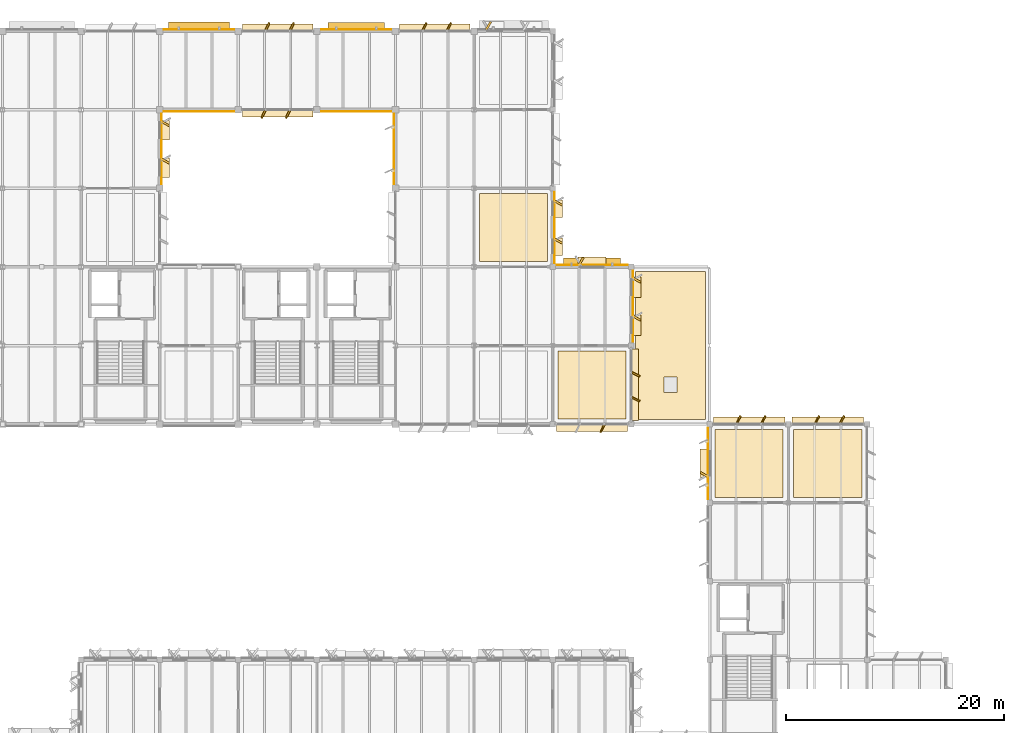
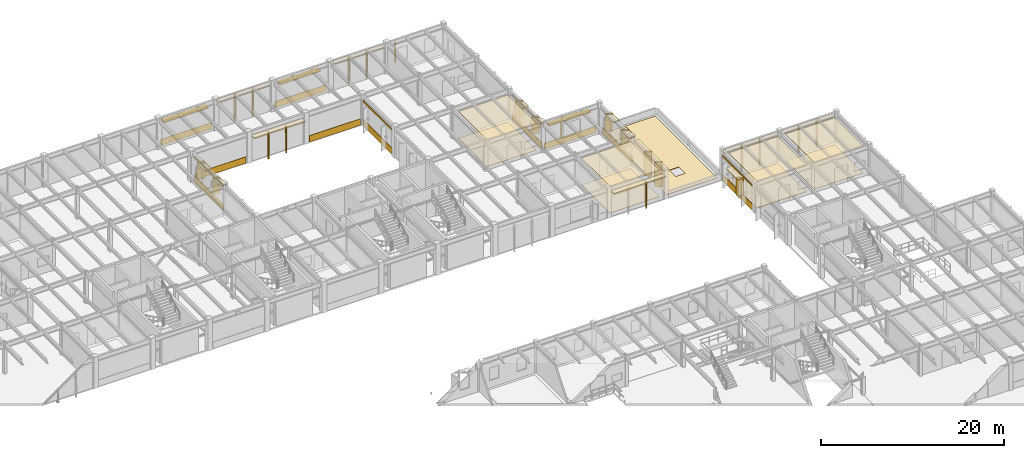
# One storey, part 84 of 85: 60 coverings, 3 shading devices.
"""IFC4 building model written with IfcOpenShell, lengths in metres."""

from ifc_helpers import new_model, si_unit, direction, frame, frame_2d, origin, origin_2d, place, context, subcontext, project, spatial, polyline, rectangle, outline, extrude, material, layer, layer_set, type_object, element, save


model = new_model("IFC4")

# Units and contexts
model_context = context("Model", 3, precision=1e-05, world=origin(), true_north=direction((0.0, 1.0)))
body_context = subcontext(model_context, "Body", "Model", "MODEL_VIEW")
ifc_project = project(units=[si_unit("LENGTHUNIT", "METRE"), si_unit("AREAUNIT", "SQUARE_METRE"), si_unit("VOLUMEUNIT", "CUBIC_METRE"), si_unit("PLANEANGLEUNIT", "RADIAN"), si_unit("MASSUNIT", "GRAM", prefix="KILO")], contexts=[model_context])

# Site, building, storey
site_placement = place(None, origin())
site = spatial("IfcSite", under=ifc_project, at=site_placement, CompositionType="ELEMENT")
building_placement = place(site_placement, origin())
building = spatial("IfcBuilding", under=site, at=building_placement, Name="Sillqori Civic Hall", CompositionType="ELEMENT")
storey_placement = place(building_placement, frame((0.0, 0.0, 9.89990234375)))
storey = spatial("IfcBuildingStorey", under=building, at=storey_placement, Name="L03", CompositionType="ELEMENT", Elevation=9.89990234375)

# Coverings
ifc_material_1 = material(Name="Acoustic Gypsum Board Assembly 34", Category="gypsum")
ifc_layer_1 = layer(ifc_material_1, 0.033935546875)
ifc_layer_set_1 = layer_set([ifc_layer_1], Name="Acoustic Gypsum Board Assembly 34")
covering_type_1 = type_object("IfcCoveringType", Name="COV-CEIL-G34", PredefinedType="CEILING", material=ifc_layer_set_1)
covering_1_placement = place(storey_placement, frame((0.0, 0.0, 3.587158203125)))
element("IfcCovering", 1, at=covering_1_placement, inside=storey, type_object=covering_type_1, Name="Urban Planning Masterplan Studio L03-09 acoustic ceiling", PredefinedType="CEILING", context=body_context, shape_type="SweptSolid", body=[
    extrude(outline(polyline([(108.47998046875, 79.679931640625), (114.719970703125, 79.679931640625), (114.719970703125, 85.919921875), (108.47998046875, 85.919921875), (108.47998046875, 79.679931640625)])), origin(), (0.0, 0.0, 1.0), 0.033935546875),
])
ifc_material_2 = material(Name="Perforated Acoustic Gypsum Board Ceiling", Category="gypsum")
ifc_layer_2 = layer(ifc_material_2, 0.030029296875)
ifc_layer_set_2 = layer_set([ifc_layer_2], Name="Perforated Acoustic Gypsum Board Ceiling")
covering_type_2 = type_object("IfcCoveringType", Name="COV-CEIL-GYP", PredefinedType="CEILING", material=ifc_layer_set_2)
covering_2_placement = place(storey_placement, frame((0.0, 0.0, 3.591064453125)))
element("IfcCovering", 2, at=covering_2_placement, inside=storey, type_object=covering_type_2, Name="Public Works Project Management Office L03-07 acoustic ceiling", PredefinedType="CEILING", context=body_context, shape_type="SweptSolid", body=[
    extrude(outline(polyline([(101.280029296875, 94.080078125), (107.52001953125, 94.080078125), (107.52001953125, 100.320068359375), (101.280029296875, 100.320068359375), (101.280029296875, 94.080078125)])), origin(), (0.0, 0.0, 1.0), 0.030029296875),
])
ifc_material_3 = material(Name="Andean Cedar Slatted Baffle 52", Category="timber")
ifc_layer_3 = layer(ifc_material_3, 0.052001953125)
ifc_layer_set_3 = layer_set([ifc_layer_3], Name="Andean Cedar Slatted Baffle 52")
covering_type_3 = type_object("IfcCoveringType", Name="COV-CEIL-T52", PredefinedType="CEILING", material=ifc_layer_set_3)
covering_3_placement = place(storey_placement, frame((0.0, 0.0, 3.569091796875)))
element("IfcCovering", 3, at=covering_3_placement, inside=storey, type_object=covering_type_3, Name="Library Open Book Stacks Historic Statutes acoustic ceiling", PredefinedType="CEILING", context=body_context, shape_type="SweptSolid", body=[
    extrude(outline(polyline([(122.8798828125, 72.47998046875), (129.1201171875, 72.47998046875), (129.1201171875, 78.719970703125), (122.8798828125, 78.719970703125), (122.8798828125, 72.47998046875)])), origin(), (0.0, 0.0, 1.0), 0.052001953125),
])
ifc_material_4 = material(Name="Andean Cedar Deep Baffle 58", Category="timber")
ifc_layer_4 = layer(ifc_material_4, 0.05810546875)
ifc_layer_set_4 = layer_set([ifc_layer_4], Name="Andean Cedar Deep Baffle 58")
covering_type_4 = type_object("IfcCoveringType", Name="COV-CEIL-T58", PredefinedType="CEILING", material=ifc_layer_set_4)
covering_4_placement = place(storey_placement, frame((0.0, 0.0, 3.56298828125)))
element("IfcCovering", 4, at=covering_4_placement, inside=storey, type_object=covering_type_4, Name="Andean Cartography and Map Reading Room acoustic ceiling", PredefinedType="CEILING", context=body_context, shape_type="SweptSolid", body=[
    extrude(outline(polyline([(130.080078125, 72.47998046875), (136.320068359375, 72.47998046875), (136.320068359375, 78.719970703125), (130.080078125, 78.719970703125), (130.080078125, 72.47998046875)])), origin(), (0.0, 0.0, 1.0), 0.05810546875),
])
ifc_material_5 = material(Name="Cochabamba Honed Limestone Cladding", Category="masonry")
ifc_layer_5 = layer(ifc_material_5, 0.044921875)
ifc_layer_set_5 = layer_set([ifc_layer_5], Name="Cochabamba Honed Limestone Cladding")
covering_type_5 = type_object("IfcCoveringType", Name="COV-CLAD-LIME", PredefinedType="CLADDING", material=ifc_layer_set_5)
covering_5_placement = place(storey_placement, frame((72.159912109375, 107.6201171875, 0.0400390625), z_axis=(0.0, 0.0, 1.0), x_axis=(0.0, -1.0, 0.0)))
element("IfcCovering", 5, at=covering_5_placement, inside=storey, type_object=covering_type_5, Name="L03 limestone spandrel cladding L03-09-14-E", PredefinedType="CLADDING", context=body_context, shape_type="SweptSolid", body=[
    extrude(rectangle(XDim=6.440185546875, YDim=0.044921875, at=frame_2d((3.22021484375, 0.0))), origin(), (0.0, 0.0, 1.0), 0.860107421875),
])
covering_6_placement = place(storey_placement, frame((72.159912109375, 107.6201171875, 3.22021484375), z_axis=(0.0, 0.0, 1.0), x_axis=(0.0, -1.0, 0.0)))
element("IfcCovering", 6, at=covering_6_placement, inside=storey, type_object=covering_type_5, Name="L03 limestone frieze cladding L03-09-14-E", PredefinedType="CLADDING", context=body_context, shape_type="SweptSolid", body=[
    extrude(rectangle(XDim=6.440185546875, YDim=0.044921875, at=frame_2d((3.22021484375, 0.0))), origin(), (0.0, 0.0, 1.0), 0.226806640625),
])
covering_7_placement = place(storey_placement, frame((72.1201171875, 106.9609375, 0.830078125), z_axis=(0.0, 0.0, 1.0), x_axis=(0.865989465428, -0.500062241894, 0.0)))
element("IfcCovering", 7, at=covering_7_placement, inside=storey, type_object=covering_type_5, Name="Sawtooth limestone angled reveal cheek L03-09-14-E.1", PredefinedType="CLADDING", context=body_context, shape_type="SweptSolid", body=[
    extrude(rectangle(XDim=0.85009765625, YDim=0.179931640625, at=frame_2d((0.425048828125, 0.0))), origin(), (0.0, 0.0, 1.0), 2.14990234375),
])
covering_8_placement = place(storey_placement, frame((72.5, 107.02099609375, 2.840087890625), z_axis=(0.0, 0.0, 1.0), x_axis=(0.0, -1.0, 0.0)))
element("IfcCovering", 8, at=covering_8_placement, inside=storey, type_object=covering_type_5, Name="Sawtooth limestone window hood L03-09-14-E.1", PredefinedType="CLADDING", context=body_context, shape_type="SweptSolid", body=[
    extrude(rectangle(XDim=1.81005859375, YDim=0.780029296875, at=frame_2d((0.905029296875, 0.0))), origin(), (0.0, 0.0, 1.0), 0.139892578125),
])
covering_9_placement = place(storey_placement, frame((72.1201171875, 103.529052734375, 0.830078125), z_axis=(0.0, 0.0, 1.0), x_axis=(0.865989465428, -0.500062241894, 0.0)))
element("IfcCovering", 9, at=covering_9_placement, inside=storey, type_object=covering_type_5, Name="Sawtooth limestone angled reveal cheek L03-09-14-E.2", PredefinedType="CLADDING", context=body_context, shape_type="SweptSolid", body=[
    extrude(rectangle(XDim=0.85009765625, YDim=0.179931640625, at=frame_2d((0.425048828125, 0.0))), origin(), (0.0, 0.0, 1.0), 2.14990234375),
])
covering_10_placement = place(storey_placement, frame((72.5, 103.589111328125, 2.840087890625), z_axis=(0.0, 0.0, 1.0), x_axis=(0.0, -1.0, 0.0)))
element("IfcCovering", 10, at=covering_10_placement, inside=storey, type_object=covering_type_5, Name="Sawtooth limestone window hood L03-09-14-E.2", PredefinedType="CLADDING", context=body_context, shape_type="SweptSolid", body=[
    extrude(rectangle(XDim=1.81005859375, YDim=0.780029296875, at=frame_2d((0.905029296875, 0.0))), origin(), (0.0, 0.0, 1.0), 0.139892578125),
])
for number, where, z_axis, x_axis, name in (
    (11, (78.820068359375, 107.840087890625, 0.0400390625), (0.0, 0.0, 1.0), (-1.0, 0.0, 0.0), "L03 limestone spandrel cladding L03-10-15-S"),
    (12, (72.3798828125, 115.360107421875, 0.0400390625), (0.0, 0.0, 1.0), (1.0, 0.0, 0.0), "L03 limestone spandrel cladding L03-10-15-N"),
):
    element("IfcCovering", number, at=place(storey_placement, frame(where, z_axis=z_axis, x_axis=x_axis)), inside=storey, type_object=covering_type_5, Name=name, PredefinedType="CLADDING", context=body_context, shape_type="SweptSolid", body=[
        extrude(rectangle(XDim=6.440185546875, YDim=0.044921875, at=frame_2d((3.22021484375, 0.0))), origin(), (0.0, 0.0, 1.0), 0.860107421875),
    ])
covering_11_placement = place(storey_placement, frame((86.02001953125, 107.679931640625, 3.238037109375), z_axis=(0.0, 0.0, 1.0), x_axis=(-1.0, 0.0, 0.0)))
element("IfcCovering", 13, at=covering_11_placement, inside=storey, type_object=covering_type_5, Name="L03 curtain-wall limestone solar hood L03-11-15-S", PredefinedType="CLADDING", context=body_context, shape_type="SweptSolid", body=[
    extrude(rectangle(XDim=6.43994140625, YDim=0.679931640625, at=frame_2d((3.219970703125, 0.0))), origin(), (0.0, 0.0, 1.0), 0.18017578125),
])
for number, where, z_axis, x_axis, name in (
    (14, (83.922119140625, 107.949951171875, 0.06005859375), (0.0, 0.0, 1.0), (-0.447334902547, -0.894366527193, 0.0), "L03 curtain-wall angled stone fin L03-11-15-S.1"),
    (15, (81.677978515625, 107.949951171875, 0.06005859375), (0.0, 0.0, 1.0), (-0.44709226377, -0.894487846579, 0.0), "L03 curtain-wall angled stone fin L03-11-15-S.2"),
):
    element("IfcCovering", number, at=place(storey_placement, frame(where, z_axis=z_axis, x_axis=x_axis)), inside=storey, type_object=covering_type_5, Name=name, PredefinedType="CLADDING", context=body_context, shape_type="SweptSolid", body=[
        extrude(rectangle(XDim=0.804931640625, YDim=0.139892578125, at=frame_2d((0.40234375, 0.0))), origin(), (0.0, 0.0, 1.0), 3.177978515625),
    ])
covering_12_placement = place(storey_placement, frame((79.580078125, 115.52001953125, 3.238037109375), z_axis=(0.0, 0.0, 1.0), x_axis=(1.0, 0.0, 0.0)))
element("IfcCovering", 16, at=covering_12_placement, inside=storey, type_object=covering_type_5, Name="L03 curtain-wall limestone solar hood L03-11-15-N", PredefinedType="CLADDING", context=body_context, shape_type="SweptSolid", body=[
    extrude(rectangle(XDim=6.43994140625, YDim=0.679931640625, at=frame_2d((3.219970703125, 0.0))), origin(), (0.0, 0.0, 1.0), 0.18017578125),
])
for number, where, z_axis, x_axis, name in (
    (17, (81.677978515625, 115.25, 0.06005859375), (0.0, 0.0, 1.0), (0.447334902547, 0.894366527193, 0.0), "L03 curtain-wall angled stone fin L03-11-15-N.1"),
    (18, (83.922119140625, 115.25, 0.06005859375), (0.0, 0.0, 1.0), (0.44709226377, 0.894487846579, 0.0), "L03 curtain-wall angled stone fin L03-11-15-N.2"),
):
    element("IfcCovering", number, at=place(storey_placement, frame(where, z_axis=z_axis, x_axis=x_axis)), inside=storey, type_object=covering_type_5, Name=name, PredefinedType="CLADDING", context=body_context, shape_type="SweptSolid", body=[
        extrude(rectangle(XDim=0.804931640625, YDim=0.139892578125, at=frame_2d((0.40234375, 0.0))), origin(), (0.0, 0.0, 1.0), 3.177978515625),
    ])
for number, where, z_axis, x_axis, name in (
    (19, (93.219970703125, 107.840087890625, 0.0400390625), (0.0, 0.0, 1.0), (-1.0, 0.0, 0.0), "L03 limestone spandrel cladding L03-12-15-S"),
    (20, (86.780029296875, 115.360107421875, 0.0400390625), (0.0, 0.0, 1.0), (1.0, 0.0, 0.0), "L03 limestone spandrel cladding L03-12-15-N"),
):
    element("IfcCovering", number, at=place(storey_placement, frame(where, z_axis=z_axis, x_axis=x_axis)), inside=storey, type_object=covering_type_5, Name=name, PredefinedType="CLADDING", context=body_context, shape_type="SweptSolid", body=[
        extrude(rectangle(XDim=6.43994140625, YDim=0.044921875, at=frame_2d((3.219970703125, 0.0))), origin(), (0.0, 0.0, 1.0), 0.860107421875),
    ])
covering_13_placement = place(storey_placement, frame((93.43994140625, 101.179931640625, 0.0400390625), z_axis=(0.0, 0.0, 1.0), x_axis=(0.0, 1.0, 0.0)))
element("IfcCovering", 21, at=covering_13_placement, inside=storey, type_object=covering_type_5, Name="L03 limestone spandrel cladding L03-13-14-W", PredefinedType="CLADDING", context=body_context, shape_type="SweptSolid", body=[
    extrude(rectangle(XDim=6.440185546875, YDim=0.044921875, at=frame_2d((3.22021484375, 0.0))), origin(), (0.0, 0.0, 1.0), 0.860107421875),
])
covering_14_placement = place(storey_placement, frame((93.43994140625, 101.179931640625, 3.22021484375), z_axis=(0.0, 0.0, 1.0), x_axis=(0.0, 1.0, 0.0)))
element("IfcCovering", 22, at=covering_14_placement, inside=storey, type_object=covering_type_5, Name="L03 limestone frieze cladding L03-13-14-W", PredefinedType="CLADDING", context=body_context, shape_type="SweptSolid", body=[
    extrude(rectangle(XDim=6.440185546875, YDim=0.044921875, at=frame_2d((3.22021484375, 0.0))), origin(), (0.0, 0.0, 1.0), 0.226806640625),
])
covering_15_placement = place(storey_placement, frame((93.97998046875, 115.52001953125, 3.238037109375), z_axis=(0.0, 0.0, 1.0), x_axis=(1.0, 0.0, 0.0)))
element("IfcCovering", 23, at=covering_15_placement, inside=storey, type_object=covering_type_5, Name="L03 curtain-wall limestone solar hood L03-13-15-N", PredefinedType="CLADDING", context=body_context, shape_type="SweptSolid", body=[
    extrude(rectangle(XDim=6.43994140625, YDim=0.679931640625, at=frame_2d((3.219970703125, 0.0))), origin(), (0.0, 0.0, 1.0), 0.18017578125),
])
for number, where, z_axis, x_axis, name in (
    (24, (96.077880859375, 115.25, 0.06005859375), (0.0, 0.0, 1.0), (0.447334902547, 0.894366527193, 0.0), "L03 curtain-wall angled stone fin L03-13-15-N.1"),
    (25, (98.322021484375, 115.25, 0.06005859375), (0.0, 0.0, 1.0), (0.44709226377, 0.894487846579, 0.0), "L03 curtain-wall angled stone fin L03-13-15-N.2"),
):
    element("IfcCovering", number, at=place(storey_placement, frame(where, z_axis=z_axis, x_axis=x_axis)), inside=storey, type_object=covering_type_5, Name=name, PredefinedType="CLADDING", context=body_context, shape_type="SweptSolid", body=[
        extrude(rectangle(XDim=0.804931640625, YDim=0.139892578125, at=frame_2d((0.40234375, 0.0))), origin(), (0.0, 0.0, 1.0), 3.177978515625),
    ])
covering_16_placement = place(storey_placement, frame((108.159912109375, 100.469970703125, 0.0400390625), z_axis=(0.0, 0.0, 1.0), x_axis=(0.0, -1.0, 0.0)))
element("IfcCovering", 26, at=covering_16_placement, inside=storey, type_object=covering_type_5, Name="L03 limestone spandrel cladding L03-14-13-E", PredefinedType="CLADDING", context=body_context, shape_type="SweptSolid", body=[
    extrude(rectangle(XDim=6.5400390625, YDim=0.044921875, at=frame_2d((3.27001953125, 0.0))), origin(), (0.0, 0.0, 1.0), 0.860107421875),
])
covering_17_placement = place(storey_placement, frame((108.159912109375, 100.469970703125, 3.22021484375), z_axis=(0.0, 0.0, 1.0), x_axis=(0.0, -1.0, 0.0)))
element("IfcCovering", 27, at=covering_17_placement, inside=storey, type_object=covering_type_5, Name="L03 limestone frieze cladding L03-14-13-E", PredefinedType="CLADDING", context=body_context, shape_type="SweptSolid", body=[
    extrude(rectangle(XDim=6.5400390625, YDim=0.044921875, at=frame_2d((3.27001953125, 0.0))), origin(), (0.0, 0.0, 1.0), 0.226806640625),
])
covering_18_placement = place(storey_placement, frame((108.1201171875, 99.68701171875, 0.830078125), z_axis=(0.0, 0.0, 1.0), x_axis=(0.865989465428, -0.500062241894, 0.0)))
element("IfcCovering", 28, at=covering_18_placement, inside=storey, type_object=covering_type_5, Name="Sawtooth limestone angled reveal cheek L03-14-13-E.1", PredefinedType="CLADDING", context=body_context, shape_type="SweptSolid", body=[
    extrude(rectangle(XDim=0.85009765625, YDim=0.179931640625, at=frame_2d((0.425048828125, 0.0))), origin(), (0.0, 0.0, 1.0), 2.14990234375),
])
covering_19_placement = place(storey_placement, frame((108.5, 99.7470703125, 2.840087890625), z_axis=(0.0, 0.0, 1.0), x_axis=(0.0, -1.0, 0.0)))
element("IfcCovering", 29, at=covering_19_placement, inside=storey, type_object=covering_type_5, Name="Sawtooth limestone window hood L03-14-13-E.1", PredefinedType="CLADDING", context=body_context, shape_type="SweptSolid", body=[
    extrude(rectangle(XDim=1.610107421875, YDim=0.780029296875, at=frame_2d((0.80517578125, 0.0))), origin(), (0.0, 0.0, 1.0), 0.139892578125),
])
covering_20_placement = place(storey_placement, frame((108.1201171875, 96.202880859375, 0.830078125), z_axis=(0.0, 0.0, 1.0), x_axis=(0.866113839764, -0.499846793097, 0.0)))
element("IfcCovering", 30, at=covering_20_placement, inside=storey, type_object=covering_type_5, Name="Sawtooth limestone angled reveal cheek L03-14-13-E.2", PredefinedType="CLADDING", context=body_context, shape_type="SweptSolid", body=[
    extrude(rectangle(XDim=0.849853515625, YDim=0.179931640625, at=frame_2d((0.4248046875, 0.0))), origin(), (0.0, 0.0, 1.0), 2.14990234375),
])
covering_21_placement = place(storey_placement, frame((108.5, 96.262939453125, 2.840087890625), z_axis=(0.0, 0.0, 1.0), x_axis=(0.0, -1.0, 0.0)))
element("IfcCovering", 31, at=covering_21_placement, inside=storey, type_object=covering_type_5, Name="Sawtooth limestone window hood L03-14-13-E.2", PredefinedType="CLADDING", context=body_context, shape_type="SweptSolid", body=[
    extrude(rectangle(XDim=1.60986328125, YDim=0.780029296875, at=frame_2d((0.804931640625, 0.0))), origin(), (0.0, 0.0, 1.0), 0.139892578125),
])
covering_22_placement = place(storey_placement, frame((101.90087890625, 115.320068359375, 0.830078125), z_axis=(0.0, 0.0, 1.0), x_axis=(0.500062241894, 0.865989465428, 0.0)))
element("IfcCovering", 32, at=covering_22_placement, inside=storey, type_object=covering_type_5, Name="Sawtooth limestone angled reveal cheek L03-14-15-N.1", PredefinedType="CLADDING", context=body_context, shape_type="SweptSolid", body=[
    extrude(rectangle(XDim=0.85009765625, YDim=0.179931640625, at=frame_2d((0.425048828125, 0.0))), origin(), (0.0, 0.0, 1.0), 2.14990234375),
])
covering_23_placement = place(storey_placement, frame((114.8701171875, 78.8798828125, 3.218017578125), z_axis=(0.0, 0.0, 1.0), x_axis=(-1.0, 0.0, 0.0)))
element("IfcCovering", 33, at=covering_23_placement, inside=storey, type_object=covering_type_5, Name="L03 curtain-wall limestone solar hood L03-15-11-S", PredefinedType="CLADDING", context=body_context, shape_type="SweptSolid", body=[
    extrude(rectangle(XDim=6.5400390625, YDim=0.679931640625, at=frame_2d((3.27001953125, 0.0))), origin(), (0.0, 0.0, 1.0), 0.18017578125),
])
covering_24_placement = place(storey_placement, frame((112.739013671875, 79.14990234375, 0.06005859375), z_axis=(0.0, 0.0, 1.0), x_axis=(-0.447334902547, -0.894366527193, 0.0)))
element("IfcCovering", 34, at=covering_24_placement, inside=storey, type_object=covering_type_5, Name="L03 curtain-wall angled stone fin L03-15-11-S.1", PredefinedType="CLADDING", context=body_context, shape_type="SweptSolid", body=[
    extrude(rectangle(XDim=0.804931640625, YDim=0.139892578125, at=frame_2d((0.40234375, 0.0))), origin(), (0.0, 0.0, 1.0), 3.157958984375),
])
covering_25_placement = place(storey_placement, frame((115.52001953125, 86.070068359375, 3.287109375), z_axis=(0.0, 0.0, 1.0), x_axis=(0.0, -1.0, 0.0)))
element("IfcCovering", 35, at=covering_25_placement, inside=storey, type_object=covering_type_5, Name="L03 curtain-wall limestone solar hood L03-15-11-E", PredefinedType="CLADDING", context=body_context, shape_type="SweptSolid", body=[
    extrude(rectangle(XDim=6.5400390625, YDim=0.679931640625, at=frame_2d((3.27001953125, 0.0))), origin(), (0.0, 0.0, 1.0), 0.179931640625),
])
for number, where, z_axis, x_axis, name in (
    (36, (115.25, 83.93896484375, 0.06005859375), (0.0, 0.0, 1.0), (0.894487846579, -0.44709226377, 0.0), "L03 curtain-wall angled stone fin L03-15-11-E.1"),
    (37, (115.25, 81.660888671875, 0.06005859375), (0.0, 0.0, 1.0), (0.894487846579, -0.44709226377, 0.0), "L03 curtain-wall angled stone fin L03-15-11-E.2"),
):
    element("IfcCovering", number, at=place(storey_placement, frame(where, z_axis=z_axis, x_axis=x_axis)), inside=storey, type_object=covering_type_5, Name=name, PredefinedType="CLADDING", context=body_context, shape_type="SweptSolid", body=[
        extrude(rectangle(XDim=0.804931640625, YDim=0.139892578125, at=frame_2d((0.40234375, 0.0))), origin(), (0.0, 0.0, 1.0), 3.22705078125),
    ])
covering_26_placement = place(storey_placement, frame((108.330078125, 93.760009765625, 0.0400390625), z_axis=(0.0, 0.0, 1.0), x_axis=(1.0, 0.0, 0.0)))
element("IfcCovering", 38, at=covering_26_placement, inside=storey, type_object=covering_type_5, Name="L03 limestone spandrel cladding L03-15-12-N", PredefinedType="CLADDING", context=body_context, shape_type="SweptSolid", body=[
    extrude(rectangle(XDim=6.5400390625, YDim=0.044921875, at=frame_2d((3.27001953125, 0.0))), origin(), (0.0, 0.0, 1.0), 0.860107421875),
])
covering_27_placement = place(storey_placement, frame((110.3798828125, 93.719970703125, 0.830078125), z_axis=(0.0, 0.0, 1.0), x_axis=(0.500062241894, 0.865989465428, 0.0)))
element("IfcCovering", 39, at=covering_27_placement, inside=storey, type_object=covering_type_5, Name="Sawtooth limestone angled reveal cheek L03-15-12-N.1", PredefinedType="CLADDING", context=body_context, shape_type="SweptSolid", body=[
    extrude(rectangle(XDim=0.85009765625, YDim=0.179931640625, at=frame_2d((0.425048828125, 0.0))), origin(), (0.0, 0.0, 1.0), 2.199951171875),
])
covering_28_placement = place(storey_placement, frame((110.320068359375, 94.10009765625, 2.89013671875), z_axis=(0.0, 0.0, 1.0), x_axis=(1.0, 0.0, 0.0)))
element("IfcCovering", 40, at=covering_28_placement, inside=storey, type_object=covering_type_5, Name="Sawtooth limestone window hood L03-15-12-N.1", PredefinedType="CLADDING", context=body_context, shape_type="SweptSolid", body=[
    extrude(rectangle(XDim=2.559814453125, YDim=0.780029296875, at=frame_2d((1.27978515625, 0.0))), origin(), (0.0, 0.0, 1.0), 0.139892578125),
])
covering_29_placement = place(storey_placement, frame((115.360107421875, 93.27001953125, 0.0400390625), z_axis=(0.0, 0.0, 1.0), x_axis=(0.0, -1.0, 0.0)))
element("IfcCovering", 41, at=covering_29_placement, inside=storey, type_object=covering_type_5, Name="L03 limestone spandrel cladding L03-15-12-E", PredefinedType="CLADDING", context=body_context, shape_type="SweptSolid", body=[
    extrude(rectangle(XDim=6.5400390625, YDim=0.044921875, at=frame_2d((3.27001953125, 0.0))), origin(), (0.0, 0.0, 1.0), 0.860107421875),
])
covering_30_placement = place(storey_placement, frame((115.320068359375, 92.612060546875, 0.830078125), z_axis=(0.0, 0.0, 1.0), x_axis=(0.865989465428, -0.500062241894, 0.0)))
element("IfcCovering", 42, at=covering_30_placement, inside=storey, type_object=covering_type_5, Name="Sawtooth limestone angled reveal cheek L03-15-12-E.1", PredefinedType="CLADDING", context=body_context, shape_type="SweptSolid", body=[
    extrude(rectangle(XDim=0.85009765625, YDim=0.179931640625, at=frame_2d((0.425048828125, 0.0))), origin(), (0.0, 0.0, 1.0), 2.199951171875),
])
covering_31_placement = place(storey_placement, frame((115.699951171875, 92.672119140625, 2.89013671875), z_axis=(0.0, 0.0, 1.0), x_axis=(0.0, -1.0, 0.0)))
element("IfcCovering", 43, at=covering_31_placement, inside=storey, type_object=covering_type_5, Name="Sawtooth limestone window hood L03-15-12-E.1", PredefinedType="CLADDING", context=body_context, shape_type="SweptSolid", body=[
    extrude(rectangle(XDim=1.860107421875, YDim=0.780029296875, at=frame_2d((0.93017578125, 0.0))), origin(), (0.0, 0.0, 1.0), 0.139892578125),
])
covering_32_placement = place(storey_placement, frame((115.320068359375, 89.1279296875, 0.830078125), z_axis=(0.0, 0.0, 1.0), x_axis=(0.865989465428, -0.500062241894, 0.0)))
element("IfcCovering", 44, at=covering_32_placement, inside=storey, type_object=covering_type_5, Name="Sawtooth limestone angled reveal cheek L03-15-12-E.2", PredefinedType="CLADDING", context=body_context, shape_type="SweptSolid", body=[
    extrude(rectangle(XDim=0.85009765625, YDim=0.179931640625, at=frame_2d((0.425048828125, 0.0))), origin(), (0.0, 0.0, 1.0), 2.199951171875),
])
covering_33_placement = place(storey_placement, frame((115.699951171875, 89.18798828125, 2.89013671875), z_axis=(0.0, 0.0, 1.0), x_axis=(0.0, -1.0, 0.0)))
element("IfcCovering", 45, at=covering_33_placement, inside=storey, type_object=covering_type_5, Name="Sawtooth limestone window hood L03-15-12-E.2", PredefinedType="CLADDING", context=body_context, shape_type="SweptSolid", body=[
    extrude(rectangle(XDim=1.860107421875, YDim=0.780029296875, at=frame_2d((0.93017578125, 0.0))), origin(), (0.0, 0.0, 1.0), 0.139892578125),
])
covering_34_placement = place(storey_placement, frame((122.72998046875, 79.52001953125, 3.22802734375), z_axis=(0.0, 0.0, 1.0), x_axis=(1.0, 0.0, 0.0)))
element("IfcCovering", 46, at=covering_34_placement, inside=storey, type_object=covering_type_5, Name="L03 curtain-wall limestone solar hood L03-17-10-N", PredefinedType="CLADDING", context=body_context, shape_type="SweptSolid", body=[
    extrude(rectangle(XDim=6.5400390625, YDim=0.679931640625, at=frame_2d((3.27001953125, 0.0))), origin(), (0.0, 0.0, 1.0), 0.18017578125),
])
for number, where, z_axis, x_axis, name in (
    (47, (124.861083984375, 79.25, 0.06005859375), (0.0, 0.0, 1.0), (0.44709226377, 0.894487846579, 0.0), "L03 curtain-wall angled stone fin L03-17-10-N.1"),
    (48, (127.138916015625, 79.25, 0.06005859375), (0.0, 0.0, 1.0), (0.447334902547, 0.894366527193, 0.0), "L03 curtain-wall angled stone fin L03-17-10-N.2"),
):
    element("IfcCovering", number, at=place(storey_placement, frame(where, z_axis=z_axis, x_axis=x_axis)), inside=storey, type_object=covering_type_5, Name=name, PredefinedType="CLADDING", context=body_context, shape_type="SweptSolid", body=[
        extrude(rectangle(XDim=0.804931640625, YDim=0.139892578125, at=frame_2d((0.40234375, 0.0))), origin(), (0.0, 0.0, 1.0), 3.16796875),
    ])
covering_35_placement = place(storey_placement, frame((122.22998046875, 72.330078125, 0.0400390625), z_axis=(0.0, 0.0, 1.0), x_axis=(0.0, 1.0, 0.0)))
element("IfcCovering", 49, at=covering_35_placement, inside=storey, type_object=covering_type_5, Name="L03 limestone spandrel cladding L03-17-10-W", PredefinedType="CLADDING", context=body_context, shape_type="SweptSolid", body=[
    extrude(rectangle(XDim=6.5400390625, YDim=0.044921875, at=frame_2d((3.27001953125, 0.0))), origin(), (0.0, 0.0, 1.0), 0.860107421875),
])
covering_36_placement = place(storey_placement, frame((122.22998046875, 72.330078125, 3.22021484375), z_axis=(0.0, 0.0, 1.0), x_axis=(0.0, 1.0, 0.0)))
element("IfcCovering", 50, at=covering_36_placement, inside=storey, type_object=covering_type_5, Name="L03 limestone frieze cladding L03-17-10-W", PredefinedType="CLADDING", context=body_context, shape_type="SweptSolid", body=[
    extrude(rectangle(XDim=6.5400390625, YDim=0.044921875, at=frame_2d((3.27001953125, 0.0))), origin(), (0.0, 0.0, 1.0), 0.226806640625),
])
covering_37_placement = place(storey_placement, frame((122.27001953125, 74.35498046875, 0.830078125), z_axis=(0.0, 0.0, 1.0), x_axis=(-0.865989465428, 0.500062241894, 0.0)))
element("IfcCovering", 51, at=covering_37_placement, inside=storey, type_object=covering_type_5, Name="Sawtooth limestone angled reveal cheek L03-17-10-W.1", PredefinedType="CLADDING", context=body_context, shape_type="SweptSolid", body=[
    extrude(rectangle(XDim=0.85009765625, YDim=0.179931640625, at=frame_2d((0.425048828125, 0.0))), origin(), (0.0, 0.0, 1.0), 2.35009765625),
])
covering_38_placement = place(storey_placement, frame((121.889892578125, 74.294921875, 3.0400390625), z_axis=(0.0, 0.0, 1.0), x_axis=(0.0, 1.0, 0.0)))
element("IfcCovering", 52, at=covering_38_placement, inside=storey, type_object=covering_type_5, Name="Sawtooth limestone window hood L03-17-10-W.1", PredefinedType="CLADDING", context=body_context, shape_type="SweptSolid", body=[
    extrude(rectangle(XDim=2.610107421875, YDim=0.780029296875, at=frame_2d((1.30517578125, 0.0))), origin(), (0.0, 0.0, 1.0), 0.14013671875),
])
covering_39_placement = place(storey_placement, frame((129.929931640625, 79.52001953125, 3.22802734375), z_axis=(0.0, 0.0, 1.0), x_axis=(1.0, 0.0, 0.0)))
element("IfcCovering", 53, at=covering_39_placement, inside=storey, type_object=covering_type_5, Name="L03 curtain-wall limestone solar hood L03-18-10-N", PredefinedType="CLADDING", context=body_context, shape_type="SweptSolid", body=[
    extrude(rectangle(XDim=6.5400390625, YDim=0.679931640625, at=frame_2d((3.27001953125, 0.0))), origin(), (0.0, 0.0, 1.0), 0.18017578125),
])
for number, where, z_axis, x_axis, name in (
    (54, (132.06103515625, 79.25, 0.06005859375), (0.0, 0.0, 1.0), (0.44709226377, 0.894487846579, 0.0), "L03 curtain-wall angled stone fin L03-18-10-N.1"),
    (55, (134.339111328125, 79.25, 0.06005859375), (0.0, 0.0, 1.0), (0.44709226377, 0.894487846579, 0.0), "L03 curtain-wall angled stone fin L03-18-10-N.2"),
):
    element("IfcCovering", number, at=place(storey_placement, frame(where, z_axis=z_axis, x_axis=x_axis)), inside=storey, type_object=covering_type_5, Name=name, PredefinedType="CLADDING", context=body_context, shape_type="SweptSolid", body=[
        extrude(rectangle(XDim=0.804931640625, YDim=0.139892578125, at=frame_2d((0.40234375, 0.0))), origin(), (0.0, 0.0, 1.0), 3.16796875),
    ])
ifc_material_6 = material(Name="Honed Comanche Sandstone Paving 44", Category="masonry")
ifc_layer_6 = layer(ifc_material_6, 0.0439453125)
ifc_layer_set_6 = layer_set([ifc_layer_6], Name="Honed Comanche Sandstone Paving 44")
covering_type_6 = type_object("IfcCoveringType", Name="COV-FLR-S44", PredefinedType="FLOORING", material=ifc_layer_set_6)
covering_40_placement = place(storey_placement, origin())
element("IfcCovering", 56, at=covering_40_placement, inside=storey, type_object=covering_type_6, Name="Urban Planning Masterplan Studio L03-09 floor finish", PredefinedType="FLOORING", context=body_context, shape_type="SweptSolid", body=[
    extrude(outline(polyline([(108.47998046875, 79.679931640625), (114.719970703125, 79.679931640625), (114.719970703125, 85.919921875), (108.47998046875, 85.919921875), (108.47998046875, 79.679931640625)])), origin(), (0.0, 0.0, 1.0), 0.044189453125),
])
ifc_material_7 = material(Name="Heavy Hall Basalt Terrazzo 56", Category="masonry")
ifc_layer_7 = layer(ifc_material_7, 0.055908203125)
ifc_layer_set_7 = layer_set([ifc_layer_7], Name="Heavy Hall Basalt Terrazzo 56")
covering_type_7 = type_object("IfcCoveringType", Name="COV-FLR-S56", PredefinedType="FLOORING", material=ifc_layer_set_7)
covering_41_placement = place(storey_placement, origin())
element("IfcCovering", 57, at=covering_41_placement, inside=storey, type_object=covering_type_7, Name="Library Open Book Stacks Historic Statutes floor finish", PredefinedType="FLOORING", context=body_context, shape_type="SweptSolid", body=[
    extrude(outline(polyline([(122.8798828125, 72.47998046875), (129.1201171875, 72.47998046875), (129.1201171875, 78.719970703125), (122.8798828125, 78.719970703125), (122.8798828125, 72.47998046875)])), origin(), (0.0, 0.0, 1.0), 0.05615234375),
])
ifc_material_8 = material(Name="Tajibo Parquet Strip Flooring 22", Category="timber")
ifc_layer_8 = layer(ifc_material_8, 0.02197265625)
ifc_layer_set_8 = layer_set([ifc_layer_8], Name="Tajibo Parquet Strip Flooring 22")
covering_type_8 = type_object("IfcCoveringType", Name="COV-FLR-T22", PredefinedType="FLOORING", material=ifc_layer_set_8)
covering_42_placement = place(storey_placement, origin())
element("IfcCovering", 58, at=covering_42_placement, inside=storey, type_object=covering_type_8, Name="Andean Cartography and Map Reading Room floor finish", PredefinedType="FLOORING", context=body_context, shape_type="SweptSolid", body=[
    extrude(outline(polyline([(130.080078125, 72.47998046875), (136.320068359375, 72.47998046875), (136.320068359375, 78.719970703125), (130.080078125, 78.719970703125), (130.080078125, 72.47998046875)])), origin(), (0.0, 0.0, 1.0), 0.022216796875),
])
ifc_material_9 = material(Name="Honed Cochabamba Limestone Terrazzo", Category="masonry")
ifc_layer_9 = layer(ifc_material_9, 0.031982421875)
ifc_layer_set_9 = layer_set([ifc_layer_9], Name="Honed Cochabamba Limestone Terrazzo")
covering_type_9 = type_object("IfcCoveringType", Name="COV-FLR-TRZ", PredefinedType="FLOORING", material=ifc_layer_set_9)
covering_43_placement = place(storey_placement, origin())
element("IfcCovering", 59, at=covering_43_placement, inside=storey, type_object=covering_type_9, Name="Public Works Project Management Office L03-07 floor finish", PredefinedType="FLOORING", context=body_context, shape_type="SweptSolid", body=[
    extrude(outline(polyline([(101.280029296875, 94.080078125), (107.52001953125, 94.080078125), (107.52001953125, 100.320068359375), (101.280029296875, 100.320068359375), (101.280029296875, 94.080078125)])), origin(), (0.0, 0.0, 1.0), 0.031982421875),
])
ifc_material_10 = material(Name="Insulated Standing-Seam Solar Roof Membrane", Category="membrane")
ifc_layer_10 = layer(ifc_material_10, 0.054931640625)
ifc_layer_set_10 = layer_set([ifc_layer_10], Name="Insulated Standing-Seam Solar Roof Membrane")
covering_type_10 = type_object("IfcCoveringType", Name="COV-ROOF-TPO", PredefinedType="ROOFING", material=ifc_layer_set_10)
covering_44_placement = place(storey_placement, origin())
element("IfcCovering", 60, at=covering_44_placement, inside=storey, type_object=covering_type_10, Name="L03 insulated TPO roof membrane ROOF-FLAT-L02-4", PredefinedType="ROOFING", context=body_context, shape_type="SweptSolid", body=[
    extrude(outline(polyline([(115.60009765625, 79.60009765625), (122.0, 79.60009765625), (122.0, 93.199951171875), (115.60009765625, 93.199951171875), (115.60009765625, 79.60009765625)]), holes=[polyline([(118.199951171875, 82.10009765625), (118.199951171875, 83.5), (119.39990234375, 83.5), (119.39990234375, 82.10009765625), (118.199951171875, 82.10009765625)])]), origin(), (0.0, 0.0, 1.0), 0.05517578125),
])

# Shading devices
ifc_material_11 = material(Name="Anodized Aluminium Solar Control Louvre", Category="aluminium")
shading_device_type_1 = type_object("IfcShadingDeviceType", Name="SHD-HOOD-520", PredefinedType="JALOUSIE", material=ifc_material_11)
for number, where, z_axis, x_axis, name in (
    (61, (90.0, 115.6650390625, 2.8701171875), (0.0, 0.0, 1.0), (1.0, 0.0, 0.0), "L03 north solar hood L03-12-15-N"),
    (62, (111.60009765625, 94.06494140625, 2.919921875), (0.0, 0.0, 1.0), (1.0, 0.0, 0.0), "L03 north solar hood L03-15-12-N"),
):
    element("IfcShadingDevice", number, at=place(storey_placement, frame(where, z_axis=z_axis, x_axis=x_axis)), inside=storey, type_object=shading_device_type_1, Name=name, PredefinedType="JALOUSIE", context=body_context, shape_type="SweptSolid", body=[
        extrude(rectangle(XDim=5.199951171875, YDim=0.679931640625, at=origin_2d()), origin(), (0.0, 0.0, 1.0), 0.139892578125),
    ])
shading_device_type_2 = type_object("IfcShadingDeviceType", Name="SHD-HOOD-560", PredefinedType="JALOUSIE", material=ifc_material_11)
shading_device_placement = place(storey_placement, frame((75.60009765625, 115.68505859375, 2.919921875), z_axis=(0.0, 0.0, 1.0), x_axis=(1.0, 0.0, 0.0)))
element("IfcShadingDevice", 63, at=shading_device_placement, inside=storey, type_object=shading_device_type_2, Name="L03 north solar hood L03-10-15-N", PredefinedType="JALOUSIE", context=body_context, shape_type="SweptSolid", body=[
    extrude(rectangle(XDim=5.60009765625, YDim=0.719970703125, at=origin_2d()), origin(), (0.0, 0.0, 1.0), 0.139892578125),
])

save(model, "model.ifc")
